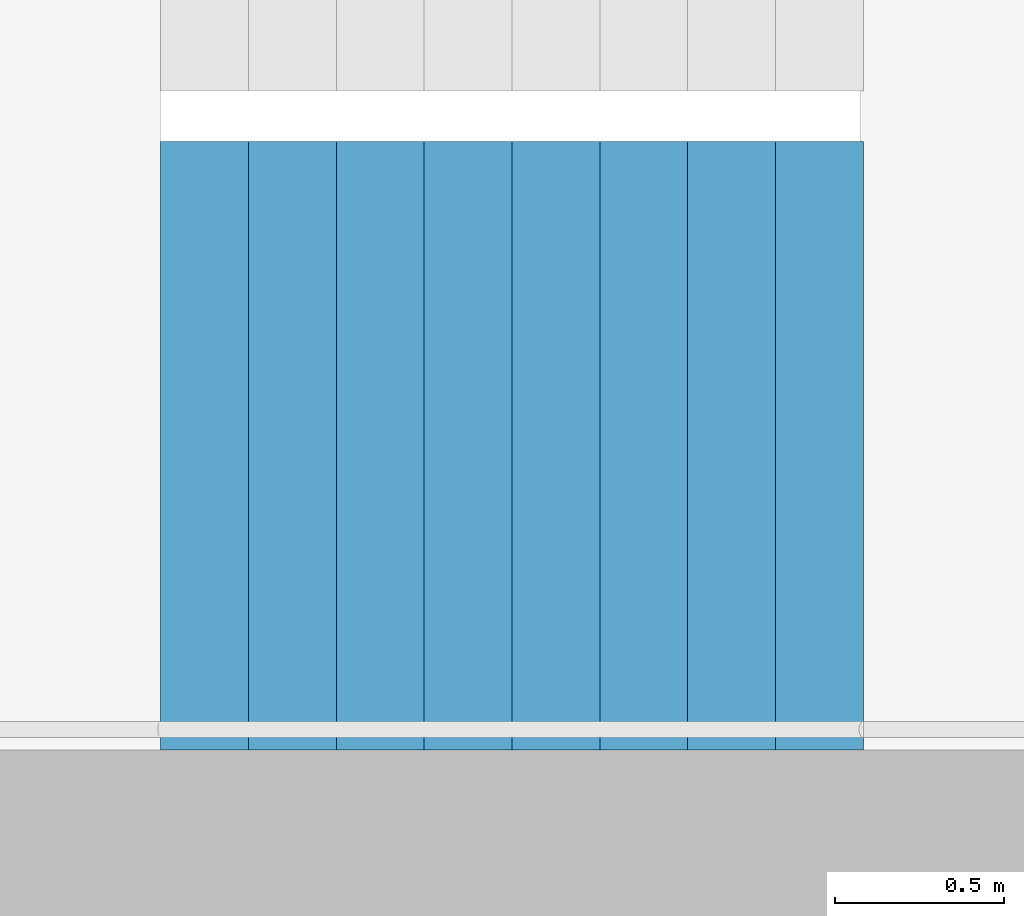
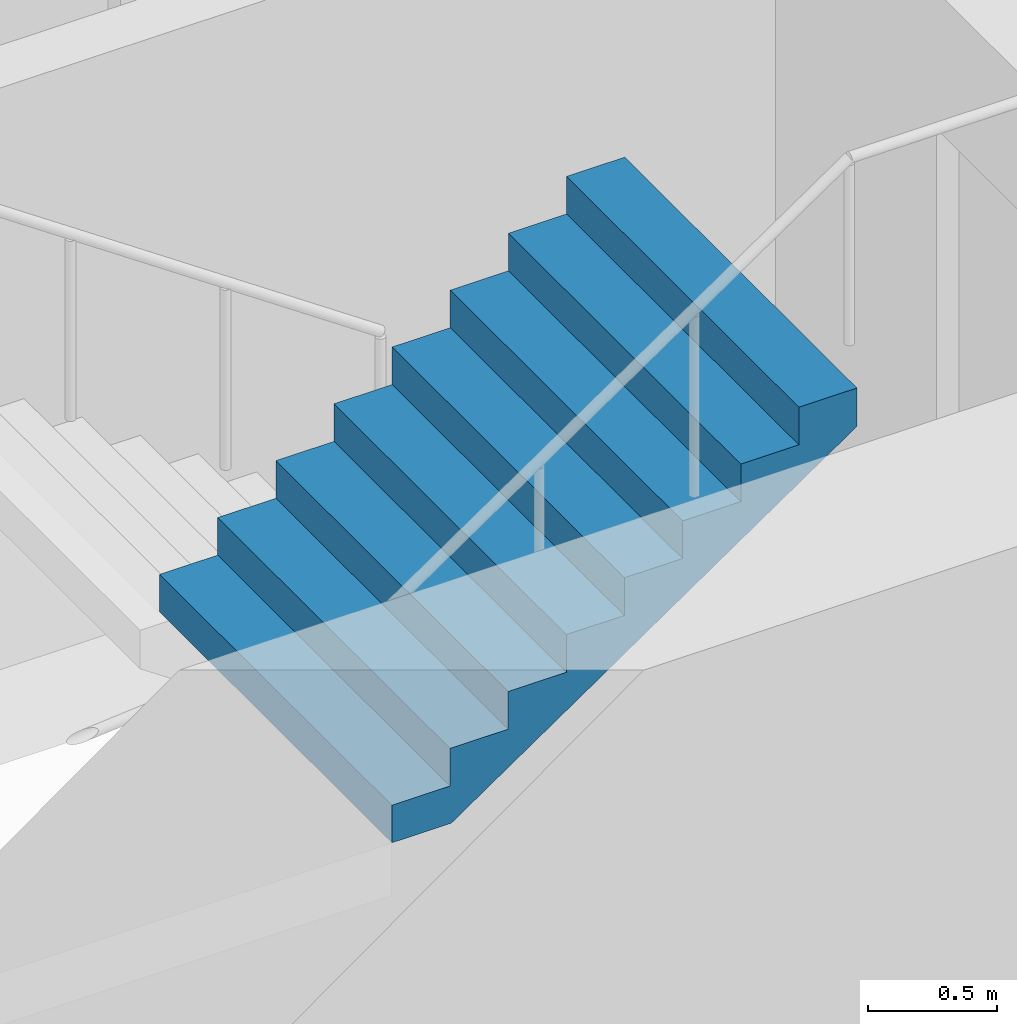
# One storey, part 18 of 26: 1 stair flight, 1 element without a shape of its own.
"""IFC4 building model written with IfcOpenShell, lengths in metres."""

from ifc_helpers import new_model, si_unit, direction, frame, origin, place, context, subcontext, project, spatial, triangles, material, type_object, element, aggregate, save


model = new_model("IFC4")

# Units and contexts
model_context = context("Model", 3, precision=1e-05, world=origin(), true_north=direction((0.0, 1.0)))
body_context = subcontext(model_context, "Body", "Model", "MODEL_VIEW")
ifc_project = project(units=[si_unit("LENGTHUNIT", "METRE"), si_unit("AREAUNIT", "SQUARE_METRE"), si_unit("VOLUMEUNIT", "CUBIC_METRE"), si_unit("PLANEANGLEUNIT", "RADIAN"), si_unit("MASSUNIT", "GRAM", prefix="KILO")], contexts=[model_context])

# Site, building, storey
site_placement = place(None, origin())
site = spatial("IfcSite", under=ifc_project, at=site_placement, CompositionType="ELEMENT")
building_placement = place(site_placement, origin())
building = spatial("IfcBuilding", under=site, at=building_placement, Name="Hakoniwa Tower and Hamabe Station Hall", CompositionType="ELEMENT")
storey_placement = place(building_placement, frame((0.0, 0.0, 212.199951171875)))
storey = spatial("IfcBuildingStorey", under=building, at=storey_placement, Name="L60", CompositionType="ELEMENT", Elevation=212.199951171875)

# Stair, stair flight
ifc_material_1 = material(Name="Concrete C40", Category="concrete")
stair_type = type_object("IfcStairType", Name="ESCAPE STAIR 1800", PredefinedType="HALF_TURN_STAIR", material=ifc_material_1)
stair_placement = place(storey_placement, origin())
stair = element("IfcStair", 1, at=stair_placement, inside=storey, type_object=stair_type, Name="Escape stair ST-2 L60", PredefinedType="HALF_TURN_STAIR")
ifc_material_2 = material(Name="Concrete C40", Category="concrete")
stair_flight_type = type_object("IfcStairFlightType", Name="STAIR FLIGHT 1800", PredefinedType="STRAIGHT", material=ifc_material_2)
stair_flight_placement = place(storey_placement, frame((-25.47998046875, -6.60009765625, 1.60009765625), z_axis=(0.0, 0.0, 1.0), x_axis=(1.0, 0.0, 0.0)))
stair_flight = element("IfcStairFlight", 2, at=stair_flight_placement, type_object=stair_flight_type, Name="ST-2 flight 2", NumberOfRisers=9, NumberOfTreads=8, PredefinedType="STRAIGHT", RiserHeight=0.177777778, TreadLength=0.26, context=body_context, shape_type="Tessellation", body=[
    triangles([(0.0, 0.89990234375, 0.0), (0.260009765625, 0.89990234375, 0.0), (0.265625, 0.89990234375, 0.0), (0.52001953125, 0.89990234375, 0.174072265625), (0.780029296875, 0.89990234375, 0.351806640625), (1.0400390625, 0.89990234375, 0.529541015625), (1.300048828125, 0.89990234375, 0.707275390625), (1.56005859375, 0.89990234375, 0.885009765625), (1.820068359375, 0.89990234375, 1.062744140625), (2.080078125, 0.89990234375, 1.24072265625), (2.080078125, 0.89990234375, 1.422119140625), (1.820068359375, 0.89990234375, 1.422119140625), (1.820068359375, 0.89990234375, 1.244384765625), (1.56005859375, 0.89990234375, 1.244384765625), (1.56005859375, 0.89990234375, 1.066650390625), (1.300048828125, 0.89990234375, 1.066650390625), (1.300048828125, 0.89990234375, 0.888916015625), (1.0400390625, 0.89990234375, 0.888916015625), (1.0400390625, 0.89990234375, 0.711181640625), (0.780029296875, 0.89990234375, 0.711181640625), (0.780029296875, 0.89990234375, 0.533447265625), (0.52001953125, 0.89990234375, 0.533447265625), (0.52001953125, 0.89990234375, 0.35546875), (0.265625, 0.89990234375, 0.35546875), (0.260009765625, 0.89990234375, 0.35546875), (0.260009765625, 0.89990234375, 0.177734375), (0.0, 0.89990234375, 0.177734375), (0.0, 0.06005859375, 0.0), (0.260009765625, 0.06005859375, 0.0), (0.265625, 0.06005859375, 0.0), (0.52001953125, 0.06005859375, 0.174072265625), (0.780029296875, 0.06005859375, 0.351806640625), (1.0400390625, 0.06005859375, 0.529541015625), (1.300048828125, 0.06005859375, 0.707275390625), (1.56005859375, 0.06005859375, 0.885009765625), (1.820068359375, 0.06005859375, 1.062744140625), (2.080078125, 0.06005859375, 1.24072265625), (2.080078125, 0.06005859375, 1.422119140625), (1.820068359375, 0.06005859375, 1.422119140625), (1.820068359375, 0.06005859375, 1.244384765625), (1.56005859375, 0.06005859375, 1.244384765625), (1.56005859375, 0.06005859375, 1.066650390625), (1.300048828125, 0.06005859375, 1.066650390625), (1.300048828125, 0.06005859375, 0.888916015625), (1.0400390625, 0.06005859375, 0.888916015625), (1.0400390625, 0.06005859375, 0.711181640625), (0.780029296875, 0.06005859375, 0.711181640625), (0.780029296875, 0.06005859375, 0.533447265625), (0.52001953125, 0.06005859375, 0.533447265625), (0.52001953125, 0.06005859375, 0.35546875), (0.265625, 0.06005859375, 0.35546875), (0.260009765625, 0.06005859375, 0.35546875), (0.260009765625, 0.06005859375, 0.177734375), (0.0, 0.06005859375, 0.177734375), (0.0, 0.04296875, 0.0), (0.260009765625, 0.04296875, 0.0), (0.265625, 0.04296875, 0.0), (0.52001953125, 0.04296875, 0.174072265625), (0.780029296875, 0.04296875, 0.351806640625), (1.0400390625, 0.04296875, 0.529541015625), (1.300048828125, 0.04296875, 0.707275390625), (1.56005859375, 0.04296875, 0.885009765625), (1.820068359375, 0.04296875, 1.062744140625), (2.080078125, 0.04296875, 1.24072265625), (2.080078125, 0.04296875, 1.422119140625), (1.820068359375, 0.04296875, 1.422119140625), (1.820068359375, 0.04296875, 1.244384765625), (1.56005859375, 0.04296875, 1.244384765625), (1.56005859375, 0.04296875, 1.066650390625), (1.300048828125, 0.04296875, 1.066650390625), (1.300048828125, 0.04296875, 0.888916015625), (1.0400390625, 0.04296875, 0.888916015625), (1.0400390625, 0.04296875, 0.711181640625), (0.780029296875, 0.04296875, 0.711181640625), (0.780029296875, 0.04296875, 0.533447265625), (0.52001953125, 0.04296875, 0.533447265625), (0.52001953125, 0.04296875, 0.35546875), (0.265625, 0.04296875, 0.35546875), (0.260009765625, 0.04296875, 0.35546875), (0.260009765625, 0.04296875, 0.177734375), (0.0, 0.04296875, 0.177734375), (0.0, 0.025634765625, 0.0), (0.260009765625, 0.025634765625, 0.0), (0.265625, 0.025634765625, 0.0), (0.52001953125, 0.025634765625, 0.174072265625), (0.780029296875, 0.025634765625, 0.351806640625), (1.0400390625, 0.025634765625, 0.529541015625), (1.300048828125, 0.025634765625, 0.707275390625), (1.56005859375, 0.025634765625, 0.885009765625), (1.820068359375, 0.025634765625, 1.062744140625), (2.080078125, 0.025634765625, 1.24072265625), (2.080078125, 0.025634765625, 1.422119140625), (1.820068359375, 0.025634765625, 1.422119140625), (1.820068359375, 0.025634765625, 1.244384765625), (1.56005859375, 0.025634765625, 1.244384765625), (1.56005859375, 0.025634765625, 1.066650390625), (1.300048828125, 0.025634765625, 1.066650390625), (1.300048828125, 0.025634765625, 0.888916015625), (1.0400390625, 0.025634765625, 0.888916015625), (1.0400390625, 0.025634765625, 0.711181640625), (0.780029296875, 0.025634765625, 0.711181640625), (0.780029296875, 0.025634765625, 0.533447265625), (0.52001953125, 0.025634765625, 0.533447265625), (0.52001953125, 0.025634765625, 0.35546875), (0.265625, 0.025634765625, 0.35546875), (0.260009765625, 0.025634765625, 0.35546875), (0.260009765625, 0.025634765625, 0.177734375), (0.0, 0.025634765625, 0.177734375), (0.0, 0.008544921875, 0.0), (0.260009765625, 0.008544921875, 0.0), (0.265625, 0.008544921875, 0.0), (0.52001953125, 0.008544921875, 0.174072265625), (0.780029296875, 0.008544921875, 0.351806640625), (1.0400390625, 0.008544921875, 0.529541015625), (1.300048828125, 0.008544921875, 0.707275390625), (1.56005859375, 0.008544921875, 0.885009765625), (1.820068359375, 0.008544921875, 1.062744140625), (2.080078125, 0.008544921875, 1.24072265625), (2.080078125, 0.008544921875, 1.422119140625), (1.820068359375, 0.008544921875, 1.422119140625), (1.820068359375, 0.008544921875, 1.244384765625), (1.56005859375, 0.008544921875, 1.244384765625), (1.56005859375, 0.008544921875, 1.066650390625), (1.300048828125, 0.008544921875, 1.066650390625), (1.300048828125, 0.008544921875, 0.888916015625), (1.0400390625, 0.008544921875, 0.888916015625), (1.0400390625, 0.008544921875, 0.711181640625), (0.780029296875, 0.008544921875, 0.711181640625), (0.780029296875, 0.008544921875, 0.533447265625), (0.52001953125, 0.008544921875, 0.533447265625), (0.52001953125, 0.008544921875, 0.35546875), (0.265625, 0.008544921875, 0.35546875), (0.260009765625, 0.008544921875, 0.35546875), (0.260009765625, 0.008544921875, 0.177734375), (0.0, 0.008544921875, 0.177734375), (0.0, -0.008544921875, 0.0), (0.260009765625, -0.008544921875, 0.0), (0.265625, -0.008544921875, 0.0), (0.52001953125, -0.008544921875, 0.174072265625), (0.780029296875, -0.008544921875, 0.351806640625), (1.0400390625, -0.008544921875, 0.529541015625), (1.300048828125, -0.008544921875, 0.707275390625), (1.56005859375, -0.008544921875, 0.885009765625), (1.820068359375, -0.008544921875, 1.062744140625), (2.080078125, -0.008544921875, 1.24072265625), (2.080078125, -0.008544921875, 1.422119140625), (1.820068359375, -0.008544921875, 1.422119140625), (1.820068359375, -0.008544921875, 1.244384765625), (1.56005859375, -0.008544921875, 1.244384765625), (1.56005859375, -0.008544921875, 1.066650390625), (1.300048828125, -0.008544921875, 1.066650390625), (1.300048828125, -0.008544921875, 0.888916015625), (1.0400390625, -0.008544921875, 0.888916015625), (1.0400390625, -0.008544921875, 0.711181640625), (0.780029296875, -0.008544921875, 0.711181640625), (0.780029296875, -0.008544921875, 0.533447265625), (0.52001953125, -0.008544921875, 0.533447265625), (0.52001953125, -0.008544921875, 0.35546875), (0.265625, -0.008544921875, 0.35546875), (0.260009765625, -0.008544921875, 0.35546875), (0.260009765625, -0.008544921875, 0.177734375), (0.0, -0.008544921875, 0.177734375), (0.0, -0.025634765625, 0.0), (0.260009765625, -0.025634765625, 0.0), (0.265625, -0.025634765625, 0.0), (0.52001953125, -0.025634765625, 0.174072265625), (0.780029296875, -0.025634765625, 0.351806640625), (1.0400390625, -0.025634765625, 0.529541015625), (1.300048828125, -0.025634765625, 0.707275390625), (1.56005859375, -0.025634765625, 0.885009765625), (1.820068359375, -0.025634765625, 1.062744140625), (2.080078125, -0.025634765625, 1.24072265625), (2.080078125, -0.025634765625, 1.422119140625), (1.820068359375, -0.025634765625, 1.422119140625), (1.820068359375, -0.025634765625, 1.244384765625), (1.56005859375, -0.025634765625, 1.244384765625), (1.56005859375, -0.025634765625, 1.066650390625), (1.300048828125, -0.025634765625, 1.066650390625), (1.300048828125, -0.025634765625, 0.888916015625), (1.0400390625, -0.025634765625, 0.888916015625), (1.0400390625, -0.025634765625, 0.711181640625), (0.780029296875, -0.025634765625, 0.711181640625), (0.780029296875, -0.025634765625, 0.533447265625), (0.52001953125, -0.025634765625, 0.533447265625), (0.52001953125, -0.025634765625, 0.35546875), (0.265625, -0.025634765625, 0.35546875), (0.260009765625, -0.025634765625, 0.35546875), (0.260009765625, -0.025634765625, 0.177734375), (0.0, -0.025634765625, 0.177734375), (0.0, -0.04296875, 0.0), (0.260009765625, -0.04296875, 0.0), (0.265625, -0.04296875, 0.0), (0.52001953125, -0.04296875, 0.174072265625), (0.780029296875, -0.04296875, 0.351806640625), (1.0400390625, -0.04296875, 0.529541015625), (1.300048828125, -0.04296875, 0.707275390625), (1.56005859375, -0.04296875, 0.885009765625), (1.820068359375, -0.04296875, 1.062744140625), (2.080078125, -0.04296875, 1.24072265625), (2.080078125, -0.04296875, 1.422119140625), (1.820068359375, -0.04296875, 1.422119140625), (1.820068359375, -0.04296875, 1.244384765625), (1.56005859375, -0.04296875, 1.244384765625), (1.56005859375, -0.04296875, 1.066650390625), (1.300048828125, -0.04296875, 1.066650390625), (1.300048828125, -0.04296875, 0.888916015625), (1.0400390625, -0.04296875, 0.888916015625), (1.0400390625, -0.04296875, 0.711181640625), (0.780029296875, -0.04296875, 0.711181640625), (0.780029296875, -0.04296875, 0.533447265625), (0.52001953125, -0.04296875, 0.533447265625), (0.52001953125, -0.04296875, 0.35546875), (0.265625, -0.04296875, 0.35546875), (0.260009765625, -0.04296875, 0.35546875), (0.260009765625, -0.04296875, 0.177734375), (0.0, -0.04296875, 0.177734375), (0.0, -0.06005859375, 0.0), (0.260009765625, -0.06005859375, 0.0), (0.265625, -0.06005859375, 0.0), (0.52001953125, -0.06005859375, 0.174072265625), (0.780029296875, -0.06005859375, 0.351806640625), (1.0400390625, -0.06005859375, 0.529541015625), (1.300048828125, -0.06005859375, 0.707275390625), (1.56005859375, -0.06005859375, 0.885009765625), (1.820068359375, -0.06005859375, 1.062744140625), (2.080078125, -0.06005859375, 1.24072265625), (2.080078125, -0.06005859375, 1.422119140625), (1.820068359375, -0.06005859375, 1.422119140625), (1.820068359375, -0.06005859375, 1.244384765625), (1.56005859375, -0.06005859375, 1.244384765625), (1.56005859375, -0.06005859375, 1.066650390625), (1.300048828125, -0.06005859375, 1.066650390625), (1.300048828125, -0.06005859375, 0.888916015625), (1.0400390625, -0.06005859375, 0.888916015625), (1.0400390625, -0.06005859375, 0.711181640625), (0.780029296875, -0.06005859375, 0.711181640625), (0.780029296875, -0.06005859375, 0.533447265625), (0.52001953125, -0.06005859375, 0.533447265625), (0.52001953125, -0.06005859375, 0.35546875), (0.265625, -0.06005859375, 0.35546875), (0.260009765625, -0.06005859375, 0.35546875), (0.260009765625, -0.06005859375, 0.177734375), (0.0, -0.06005859375, 0.177734375), (0.0, -0.89990234375, 0.0), (0.260009765625, -0.89990234375, 0.0), (0.265625, -0.89990234375, 0.0), (0.52001953125, -0.89990234375, 0.174072265625), (0.780029296875, -0.89990234375, 0.351806640625), (1.0400390625, -0.89990234375, 0.529541015625), (1.300048828125, -0.89990234375, 0.707275390625), (1.56005859375, -0.89990234375, 0.885009765625), (1.820068359375, -0.89990234375, 1.062744140625), (2.080078125, -0.89990234375, 1.24072265625), (2.080078125, -0.89990234375, 1.422119140625), (1.820068359375, -0.89990234375, 1.422119140625), (1.820068359375, -0.89990234375, 1.244384765625), (1.56005859375, -0.89990234375, 1.244384765625), (1.56005859375, -0.89990234375, 1.066650390625), (1.300048828125, -0.89990234375, 1.066650390625), (1.300048828125, -0.89990234375, 0.888916015625), (1.0400390625, -0.89990234375, 0.888916015625), (1.0400390625, -0.89990234375, 0.711181640625), (0.780029296875, -0.89990234375, 0.711181640625), (0.780029296875, -0.89990234375, 0.533447265625), (0.52001953125, -0.89990234375, 0.533447265625), (0.52001953125, -0.89990234375, 0.35546875), (0.265625, -0.89990234375, 0.35546875), (0.260009765625, -0.89990234375, 0.35546875), (0.260009765625, -0.89990234375, 0.177734375), (0.0, -0.89990234375, 0.177734375)], [[2, 27, 26], [245, 269, 270], [2, 1, 27], [245, 270, 244], [3, 25, 24], [246, 267, 268], [3, 26, 25], [246, 268, 269], [3, 2, 26], [246, 269, 245], [4, 24, 23], [247, 266, 267], [4, 3, 24], [247, 267, 246], [5, 22, 21], [248, 264, 265], [5, 23, 22], [248, 265, 266], [5, 4, 23], [248, 266, 247], [6, 20, 19], [249, 262, 263], [6, 21, 20], [249, 263, 264], [6, 5, 21], [249, 264, 248], [7, 18, 17], [250, 260, 261], [7, 19, 18], [250, 261, 262], [7, 6, 19], [250, 262, 249], [8, 16, 15], [251, 258, 259], [8, 17, 16], [251, 259, 260], [8, 7, 17], [251, 260, 250], [9, 14, 13], [252, 256, 257], [9, 15, 14], [252, 257, 258], [9, 8, 15], [252, 258, 251], [10, 12, 11], [253, 254, 255], [10, 13, 12], [253, 255, 256], [10, 9, 13], [253, 256, 252], [1, 2, 29], [1, 29, 28], [28, 29, 56], [28, 56, 55], [55, 56, 83], [55, 83, 82], [82, 83, 110], [82, 110, 109], [109, 110, 137], [109, 137, 136], [136, 137, 164], [136, 164, 163], [163, 164, 191], [163, 191, 190], [190, 191, 218], [190, 218, 217], [217, 218, 245], [217, 245, 244], [2, 3, 30], [2, 30, 29], [29, 30, 57], [29, 57, 56], [56, 57, 84], [56, 84, 83], [83, 84, 111], [83, 111, 110], [110, 111, 138], [110, 138, 137], [137, 138, 165], [137, 165, 164], [164, 165, 192], [164, 192, 191], [191, 192, 219], [191, 219, 218], [218, 219, 246], [218, 246, 245], [3, 4, 31], [3, 31, 30], [30, 31, 58], [30, 58, 57], [57, 58, 85], [57, 85, 84], [84, 85, 112], [84, 112, 111], [111, 112, 139], [111, 139, 138], [138, 139, 166], [138, 166, 165], [165, 166, 193], [165, 193, 192], [192, 193, 220], [192, 220, 219], [219, 220, 247], [219, 247, 246], [4, 5, 32], [4, 32, 31], [31, 32, 59], [31, 59, 58], [58, 59, 86], [58, 86, 85], [85, 86, 113], [85, 113, 112], [112, 113, 140], [112, 140, 139], [139, 140, 167], [139, 167, 166], [166, 167, 194], [166, 194, 193], [193, 194, 221], [193, 221, 220], [220, 221, 248], [220, 248, 247], [5, 6, 33], [5, 33, 32], [32, 33, 60], [32, 60, 59], [59, 60, 87], [59, 87, 86], [86, 87, 114], [86, 114, 113], [113, 114, 141], [113, 141, 140], [140, 141, 168], [140, 168, 167], [167, 168, 195], [167, 195, 194], [194, 195, 222], [194, 222, 221], [221, 222, 249], [221, 249, 248], [6, 7, 34], [6, 34, 33], [33, 34, 61], [33, 61, 60], [60, 61, 88], [60, 88, 87], [87, 88, 115], [87, 115, 114], [114, 115, 142], [114, 142, 141], [141, 142, 169], [141, 169, 168], [168, 169, 196], [168, 196, 195], [195, 196, 223], [195, 223, 222], [222, 223, 250], [222, 250, 249], [7, 8, 35], [7, 35, 34], [34, 35, 62], [34, 62, 61], [61, 62, 89], [61, 89, 88], [88, 89, 116], [88, 116, 115], [115, 116, 143], [115, 143, 142], [142, 143, 170], [142, 170, 169], [169, 170, 197], [169, 197, 196], [196, 197, 224], [196, 224, 223], [223, 224, 251], [223, 251, 250], [8, 9, 36], [8, 36, 35], [35, 36, 63], [35, 63, 62], [62, 63, 90], [62, 90, 89], [89, 90, 117], [89, 117, 116], [116, 117, 144], [116, 144, 143], [143, 144, 171], [143, 171, 170], [170, 171, 198], [170, 198, 197], [197, 198, 225], [197, 225, 224], [224, 225, 252], [224, 252, 251], [9, 10, 37], [9, 37, 36], [36, 37, 64], [36, 64, 63], [63, 64, 91], [63, 91, 90], [90, 91, 118], [90, 118, 117], [117, 118, 145], [117, 145, 144], [144, 145, 172], [144, 172, 171], [171, 172, 199], [171, 199, 198], [198, 199, 226], [198, 226, 225], [225, 226, 253], [225, 253, 252], [10, 11, 38], [10, 38, 37], [37, 38, 65], [37, 65, 64], [64, 65, 92], [64, 92, 91], [91, 92, 119], [91, 119, 118], [118, 119, 146], [118, 146, 145], [145, 146, 173], [145, 173, 172], [172, 173, 200], [172, 200, 199], [199, 200, 227], [199, 227, 226], [226, 227, 254], [226, 254, 253], [11, 12, 39], [11, 39, 38], [38, 39, 66], [38, 66, 65], [65, 66, 93], [65, 93, 92], [92, 93, 120], [92, 120, 119], [119, 120, 147], [119, 147, 146], [146, 147, 174], [146, 174, 173], [173, 174, 201], [173, 201, 200], [200, 201, 228], [200, 228, 227], [227, 228, 255], [227, 255, 254], [12, 13, 40], [12, 40, 39], [39, 40, 67], [39, 67, 66], [66, 67, 94], [66, 94, 93], [93, 94, 121], [93, 121, 120], [120, 121, 148], [120, 148, 147], [147, 148, 175], [147, 175, 174], [174, 175, 202], [174, 202, 201], [201, 202, 229], [201, 229, 228], [228, 229, 256], [228, 256, 255], [13, 14, 41], [13, 41, 40], [40, 41, 68], [40, 68, 67], [67, 68, 95], [67, 95, 94], [94, 95, 122], [94, 122, 121], [121, 122, 149], [121, 149, 148], [148, 149, 176], [148, 176, 175], [175, 176, 203], [175, 203, 202], [202, 203, 230], [202, 230, 229], [229, 230, 257], [229, 257, 256], [14, 15, 42], [14, 42, 41], [41, 42, 69], [41, 69, 68], [68, 69, 96], [68, 96, 95], [95, 96, 123], [95, 123, 122], [122, 123, 150], [122, 150, 149], [149, 150, 177], [149, 177, 176], [176, 177, 204], [176, 204, 203], [203, 204, 231], [203, 231, 230], [230, 231, 258], [230, 258, 257], [15, 16, 43], [15, 43, 42], [42, 43, 70], [42, 70, 69], [69, 70, 97], [69, 97, 96], [96, 97, 124], [96, 124, 123], [123, 124, 151], [123, 151, 150], [150, 151, 178], [150, 178, 177], [177, 178, 205], [177, 205, 204], [204, 205, 232], [204, 232, 231], [231, 232, 259], [231, 259, 258], [16, 17, 44], [16, 44, 43], [43, 44, 71], [43, 71, 70], [70, 71, 98], [70, 98, 97], [97, 98, 125], [97, 125, 124], [124, 125, 152], [124, 152, 151], [151, 152, 179], [151, 179, 178], [178, 179, 206], [178, 206, 205], [205, 206, 233], [205, 233, 232], [232, 233, 260], [232, 260, 259], [17, 18, 45], [17, 45, 44], [44, 45, 72], [44, 72, 71], [71, 72, 99], [71, 99, 98], [98, 99, 126], [98, 126, 125], [125, 126, 153], [125, 153, 152], [152, 153, 180], [152, 180, 179], [179, 180, 207], [179, 207, 206], [206, 207, 234], [206, 234, 233], [233, 234, 261], [233, 261, 260], [18, 19, 46], [18, 46, 45], [45, 46, 73], [45, 73, 72], [72, 73, 100], [72, 100, 99], [99, 100, 127], [99, 127, 126], [126, 127, 154], [126, 154, 153], [153, 154, 181], [153, 181, 180], [180, 181, 208], [180, 208, 207], [207, 208, 235], [207, 235, 234], [234, 235, 262], [234, 262, 261], [19, 20, 47], [19, 47, 46], [46, 47, 74], [46, 74, 73], [73, 74, 101], [73, 101, 100], [100, 101, 128], [100, 128, 127], [127, 128, 155], [127, 155, 154], [154, 155, 182], [154, 182, 181], [181, 182, 209], [181, 209, 208], [208, 209, 236], [208, 236, 235], [235, 236, 263], [235, 263, 262], [20, 21, 48], [20, 48, 47], [47, 48, 75], [47, 75, 74], [74, 75, 102], [74, 102, 101], [101, 102, 129], [101, 129, 128], [128, 129, 156], [128, 156, 155], [155, 156, 183], [155, 183, 182], [182, 183, 210], [182, 210, 209], [209, 210, 237], [209, 237, 236], [236, 237, 264], [236, 264, 263], [21, 22, 49], [21, 49, 48], [48, 49, 76], [48, 76, 75], [75, 76, 103], [75, 103, 102], [102, 103, 130], [102, 130, 129], [129, 130, 157], [129, 157, 156], [156, 157, 184], [156, 184, 183], [183, 184, 211], [183, 211, 210], [210, 211, 238], [210, 238, 237], [237, 238, 265], [237, 265, 264], [22, 23, 50], [22, 50, 49], [49, 50, 77], [49, 77, 76], [76, 77, 104], [76, 104, 103], [103, 104, 131], [103, 131, 130], [130, 131, 158], [130, 158, 157], [157, 158, 185], [157, 185, 184], [184, 185, 212], [184, 212, 211], [211, 212, 239], [211, 239, 238], [238, 239, 266], [238, 266, 265], [23, 24, 51], [23, 51, 50], [50, 51, 78], [50, 78, 77], [77, 78, 105], [77, 105, 104], [104, 105, 132], [104, 132, 131], [131, 132, 159], [131, 159, 158], [158, 159, 186], [158, 186, 185], [185, 186, 213], [185, 213, 212], [212, 213, 240], [212, 240, 239], [239, 240, 267], [239, 267, 266], [24, 25, 52], [24, 52, 51], [51, 52, 79], [51, 79, 78], [78, 79, 106], [78, 106, 105], [105, 106, 133], [105, 133, 132], [132, 133, 160], [132, 160, 159], [159, 160, 187], [159, 187, 186], [186, 187, 214], [186, 214, 213], [213, 214, 241], [213, 241, 240], [240, 241, 268], [240, 268, 267], [25, 26, 53], [25, 53, 52], [52, 53, 80], [52, 80, 79], [79, 80, 107], [79, 107, 106], [106, 107, 134], [106, 134, 133], [133, 134, 161], [133, 161, 160], [160, 161, 188], [160, 188, 187], [187, 188, 215], [187, 215, 214], [214, 215, 242], [214, 242, 241], [241, 242, 269], [241, 269, 268], [26, 27, 54], [26, 54, 53], [53, 54, 81], [53, 81, 80], [80, 81, 108], [80, 108, 107], [107, 108, 135], [107, 135, 134], [134, 135, 162], [134, 162, 161], [161, 162, 189], [161, 189, 188], [188, 189, 216], [188, 216, 215], [215, 216, 243], [215, 243, 242], [242, 243, 270], [242, 270, 269], [27, 1, 28], [27, 28, 54], [54, 28, 55], [54, 55, 81], [81, 55, 82], [81, 82, 108], [108, 82, 109], [108, 109, 135], [135, 109, 136], [135, 136, 162], [162, 136, 163], [162, 163, 189], [189, 163, 190], [189, 190, 216], [216, 190, 217], [216, 217, 243], [243, 217, 244], [243, 244, 270]], closed=True),
])
aggregate(stair, [stair_flight])

save(model, "model.ifc")
